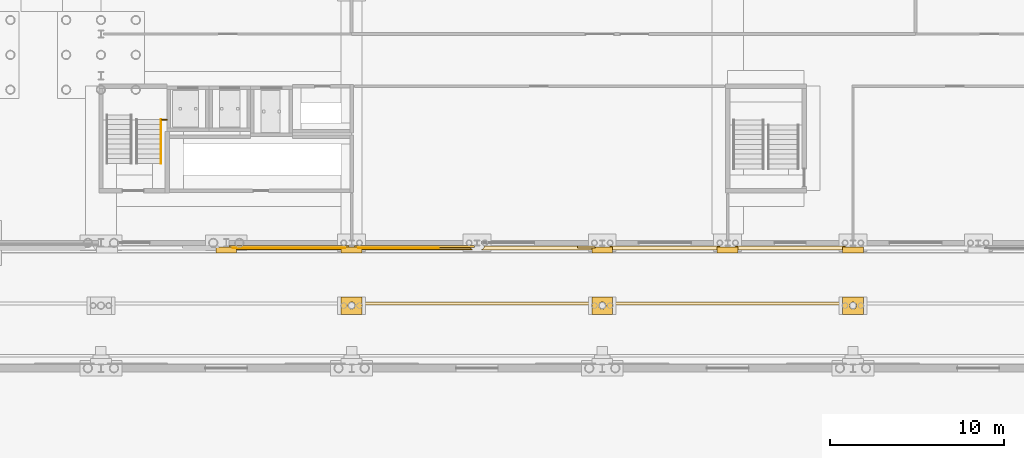
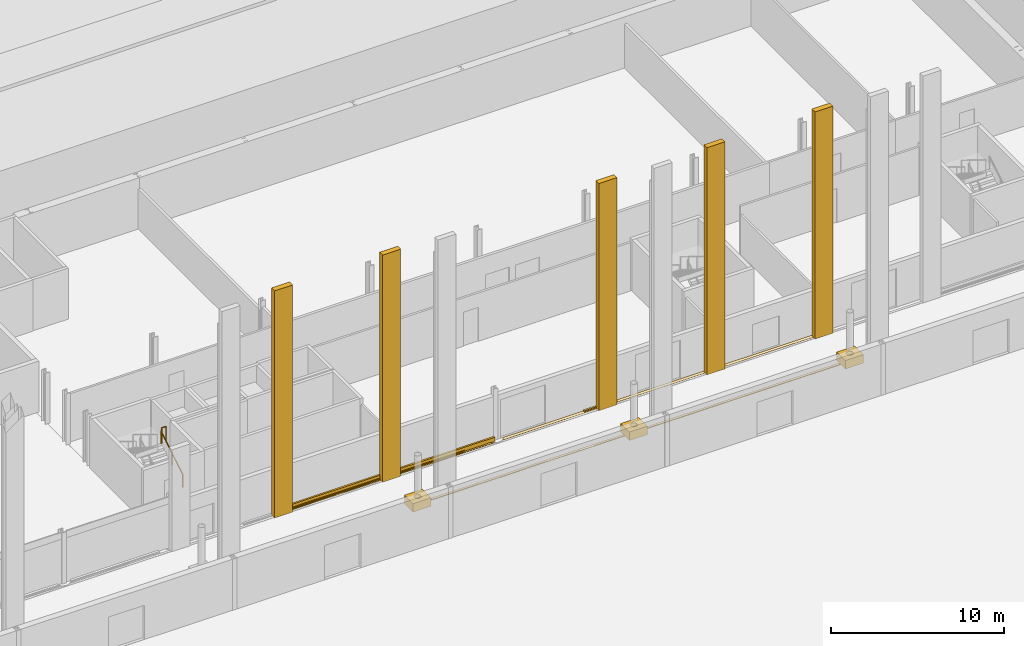
# One storey, part 142 of 148: 20 coverings, 2 railings.
"""IFC4 building model written with IfcOpenShell, lengths in metres."""

from ifc_helpers import new_model, si_unit, direction, frame, origin, origin_2d, place, context, subcontext, project, spatial, polyline, rectangle, circle, outline, extrude, material, layer, layer_set, type_object, element, save


model = new_model("IFC4")

# Units and contexts
model_context = context("Model", 3, precision=1e-05, world=origin(), true_north=direction((0.0, 1.0)))
body_context = subcontext(model_context, "Body", "Model", "MODEL_VIEW")
ifc_project = project(units=[si_unit("LENGTHUNIT", "METRE"), si_unit("AREAUNIT", "SQUARE_METRE"), si_unit("VOLUMEUNIT", "CUBIC_METRE"), si_unit("PLANEANGLEUNIT", "RADIAN"), si_unit("MASSUNIT", "GRAM", prefix="KILO")], contexts=[model_context])

# Site, building, storey
site_placement = place(None, origin())
site = spatial("IfcSite", under=ifc_project, at=site_placement, CompositionType="ELEMENT")
building_placement = place(site_placement, origin())
building = spatial("IfcBuilding", under=site, at=building_placement, Name="Kupolbacken Congress Centre", CompositionType="ELEMENT")
storey_placement = place(building_placement, origin())
storey = spatial("IfcBuildingStorey", under=building, at=storey_placement, Name="L00", CompositionType="ELEMENT", Elevation=0.0)

# Coverings
ifc_material_1 = material(Name="Limestone cladding", Category="masonry")
ifc_layer_1 = layer(ifc_material_1, 0.1201171875)
ifc_layer_set_1 = layer_set([ifc_layer_1], Name="Limestone cladding")
covering_type_1 = type_object("IfcCoveringType", Name="CV1 limestone cladding band 120", PredefinedType="CLADDING", material=ifc_layer_set_1)
for number, where, z_axis, x_axis, name in (
    (1, (154.800048828125, 122.18994140625, 0.0), (0.0, 0.0, 1.0), (1.0, 0.0, 0.0), "E/B/S/L00/009/band"),
    (2, (147.60009765625, 122.18994140625, 0.0), (0.0, 0.0, 1.0), (1.0, 0.0, 0.0), "E/BF/S/L00/021/band"),
):
    element("IfcCovering", number, at=place(storey_placement, frame(where, z_axis=z_axis, x_axis=x_axis)), inside=storey, type_object=covering_type_1, Name=name, PredefinedType="CLADDING", context=body_context, shape_type="SweptSolid", body=[
        extrude(rectangle(XDim=6.89990234375, YDim=0.1201171875, at=origin_2d()), origin(), (0.0, 0.0, 1.0), 0.300048828125),
    ])
ifc_material_2 = material(Name="Limestone cladding", Category="masonry")
ifc_layer_2 = layer(ifc_material_2, 0.35009765625)
ifc_layer_set_2 = layer_set([ifc_layer_2], Name="Limestone cladding")
covering_type_2 = type_object("IfcCoveringType", Name="CV3 limestone pilaster strip 350", PredefinedType="CLADDING", material=ifc_layer_set_2)
for number, where, z_axis, x_axis, name in (
    (3, (144.0, 121.985107421875, 0.0), (0.0, 0.0, 1.0), (1.0, 0.0, 0.0), "F/B/S/pil/01/0"),
    (4, (151.199951171875, 121.985107421875, 0.0), (0.0, 0.0, 1.0), (1.0, 0.0, 0.0), "F/B/S/pil/02/0"),
    (5, (165.60009765625, 121.985107421875, 0.0), (0.0, 0.0, 1.0), (1.0, 0.0, 0.0), "F/B/S/pil/04/0"),
    (6, (172.800048828125, 121.985107421875, 0.0), (0.0, 0.0, 1.0), (1.0, 0.0, 0.0), "F/B/S/pil/05/0"),
    (7, (180.0, 121.985107421875, 0.0), (0.0, 0.0, 1.0), (1.0, 0.0, 0.0), "F/B/S/pil/06/0"),
):
    element("IfcCovering", number, at=place(storey_placement, frame(where, z_axis=z_axis, x_axis=x_axis)), inside=storey, type_object=covering_type_2, Name=name, PredefinedType="CLADDING", context=body_context, shape_type="SweptSolid", body=[
        extrude(rectangle(XDim=1.199951171875, YDim=0.35009765625, at=origin_2d()), origin(), (0.0, 0.0, 1.0), 16.0),
    ])
ifc_material_3 = material(Name="Limestone cladding", Category="masonry")
ifc_layer_3 = layer(ifc_material_3, 0.60009765625)
ifc_layer_set_3 = layer_set([ifc_layer_3], Name="Limestone cladding")
covering_type_3 = type_object("IfcCoveringType", Name="CV5 limestone arcade pier 600", PredefinedType="CLADDING", material=ifc_layer_set_3)
covering_1_placement = place(storey_placement, frame((0.0, 0.0, 0.02001953125)))
element("IfcCovering", 8, at=covering_1_placement, inside=storey, type_object=covering_type_3, Name="Mast pedestal", PredefinedType="CLADDING", context=body_context, shape_type="SweptSolid", body=[
    extrude(outline(polyline([(150.60009765625, 118.300048828125), (150.60009765625, 119.300048828125), (151.800048828125, 119.300048828125), (151.800048828125, 118.300048828125), (150.60009765625, 118.300048828125)]), holes=[polyline([(151.402099609375, 118.82666015625), (151.39697265625, 118.852783203125), (151.388427734375, 118.8779296875), (151.376708984375, 118.902099609375), (151.36181640625, 118.924072265625), (151.34423828125, 118.944091796875), (151.32421875, 118.9619140625), (151.302001953125, 118.9765625), (151.278076171875, 118.98828125), (151.252685546875, 118.9970703125), (151.2265625, 119.002197265625), (151.199951171875, 119.00390625), (151.17333984375, 119.002197265625), (151.147216796875, 118.9970703125), (151.1220703125, 118.98828125), (151.097900390625, 118.9765625), (151.075927734375, 118.9619140625), (151.055908203125, 118.944091796875), (151.0380859375, 118.924072265625), (151.0234375, 118.902099609375), (151.01171875, 118.8779296875), (151.0029296875, 118.852783203125), (150.997802734375, 118.82666015625), (150.99609375, 118.800048828125), (150.997802734375, 118.7734375), (151.0029296875, 118.747314453125), (151.01171875, 118.721923828125), (151.0234375, 118.697998046875), (151.0380859375, 118.67578125), (151.055908203125, 118.65576171875), (151.075927734375, 118.63818359375), (151.097900390625, 118.623291015625), (151.1220703125, 118.611572265625), (151.147216796875, 118.60302734375), (151.17333984375, 118.597900390625), (151.199951171875, 118.59619140625), (151.2265625, 118.597900390625), (151.252685546875, 118.60302734375), (151.278076171875, 118.611572265625), (151.302001953125, 118.623291015625), (151.32421875, 118.63818359375), (151.34423828125, 118.65576171875), (151.36181640625, 118.67578125), (151.376708984375, 118.697998046875), (151.388427734375, 118.721923828125), (151.39697265625, 118.747314453125), (151.402099609375, 118.7734375), (151.40380859375, 118.800048828125), (151.402099609375, 118.82666015625)])]), origin(), (0.0, 0.0, 1.0), 0.60009765625),
])
covering_2_placement = place(storey_placement, frame((0.0, 0.0, 0.02001953125)))
element("IfcCovering", 9, at=covering_2_placement, inside=storey, type_object=covering_type_3, Name="Mast pedestal", PredefinedType="CLADDING", context=body_context, shape_type="SweptSolid", body=[
    extrude(outline(polyline([(165.0, 118.300048828125), (165.0, 119.300048828125), (166.199951171875, 119.300048828125), (166.199951171875, 118.300048828125), (165.0, 118.300048828125)]), holes=[polyline([(165.80224609375, 118.82666015625), (165.797119140625, 118.852783203125), (165.788330078125, 118.8779296875), (165.776611328125, 118.902099609375), (165.76171875, 118.924072265625), (165.744140625, 118.944091796875), (165.72412109375, 118.9619140625), (165.701904296875, 118.9765625), (165.677978515625, 118.98828125), (165.65283203125, 118.9970703125), (165.626708984375, 119.002197265625), (165.60009765625, 119.00390625), (165.573486328125, 119.002197265625), (165.547119140625, 118.9970703125), (165.52197265625, 118.98828125), (165.498046875, 118.9765625), (165.475830078125, 118.9619140625), (165.455810546875, 118.944091796875), (165.438232421875, 118.924072265625), (165.42333984375, 118.902099609375), (165.41162109375, 118.8779296875), (165.403076171875, 118.852783203125), (165.397705078125, 118.82666015625), (165.39599609375, 118.800048828125), (165.397705078125, 118.7734375), (165.403076171875, 118.747314453125), (165.41162109375, 118.721923828125), (165.42333984375, 118.697998046875), (165.438232421875, 118.67578125), (165.455810546875, 118.65576171875), (165.475830078125, 118.63818359375), (165.498046875, 118.623291015625), (165.52197265625, 118.611572265625), (165.547119140625, 118.60302734375), (165.573486328125, 118.597900390625), (165.60009765625, 118.59619140625), (165.626708984375, 118.597900390625), (165.65283203125, 118.60302734375), (165.677978515625, 118.611572265625), (165.701904296875, 118.623291015625), (165.72412109375, 118.63818359375), (165.744140625, 118.65576171875), (165.76171875, 118.67578125), (165.776611328125, 118.697998046875), (165.788330078125, 118.721923828125), (165.797119140625, 118.747314453125), (165.80224609375, 118.7734375), (165.803955078125, 118.800048828125), (165.80224609375, 118.82666015625)])]), origin(), (0.0, 0.0, 1.0), 0.60009765625),
])
covering_3_placement = place(storey_placement, frame((0.0, 0.0, 0.02001953125)))
element("IfcCovering", 10, at=covering_3_placement, inside=storey, type_object=covering_type_3, Name="Mast pedestal", PredefinedType="CLADDING", context=body_context, shape_type="SweptSolid", body=[
    extrude(outline(polyline([(179.39990234375, 118.300048828125), (179.39990234375, 119.300048828125), (180.60009765625, 119.300048828125), (180.60009765625, 118.300048828125), (179.39990234375, 118.300048828125)]), holes=[polyline([(180.2021484375, 118.82666015625), (180.197021484375, 118.852783203125), (180.1884765625, 118.8779296875), (180.176513671875, 118.902099609375), (180.161865234375, 118.924072265625), (180.144287109375, 118.944091796875), (180.1240234375, 118.9619140625), (180.10205078125, 118.9765625), (180.077880859375, 118.98828125), (180.052734375, 118.9970703125), (180.026611328125, 119.002197265625), (180.0, 119.00390625), (179.973388671875, 119.002197265625), (179.947265625, 118.9970703125), (179.922119140625, 118.98828125), (179.89794921875, 118.9765625), (179.8759765625, 118.9619140625), (179.855712890625, 118.944091796875), (179.838134765625, 118.924072265625), (179.823486328125, 118.902099609375), (179.8115234375, 118.8779296875), (179.802978515625, 118.852783203125), (179.7978515625, 118.82666015625), (179.796142578125, 118.800048828125), (179.7978515625, 118.7734375), (179.802978515625, 118.747314453125), (179.8115234375, 118.721923828125), (179.823486328125, 118.697998046875), (179.838134765625, 118.67578125), (179.855712890625, 118.65576171875), (179.8759765625, 118.63818359375), (179.89794921875, 118.623291015625), (179.922119140625, 118.611572265625), (179.947265625, 118.60302734375), (179.973388671875, 118.597900390625), (180.0, 118.59619140625), (180.026611328125, 118.597900390625), (180.052734375, 118.60302734375), (180.077880859375, 118.611572265625), (180.10205078125, 118.623291015625), (180.1240234375, 118.63818359375), (180.144287109375, 118.65576171875), (180.161865234375, 118.67578125), (180.176513671875, 118.697998046875), (180.1884765625, 118.721923828125), (180.197021484375, 118.747314453125), (180.2021484375, 118.7734375), (180.203857421875, 118.800048828125), (180.2021484375, 118.82666015625)])]), origin(), (0.0, 0.0, 1.0), 0.60009765625),
])
ifc_material_4 = material(Name="Limestone cladding", Category="masonry")
ifc_layer_4 = layer(ifc_material_4, 0.02001953125)
ifc_layer_set_4 = layer_set([ifc_layer_4], Name="Limestone cladding")
covering_type_4 = type_object("IfcCoveringType", Name="GF1 limestone paving 20", PredefinedType="FLOORING", material=ifc_layer_set_4)
covering_4_placement = place(storey_placement, origin())
element("IfcCovering", 11, at=covering_4_placement, inside=storey, type_object=covering_type_4, Name="Bay and lane marking", PredefinedType="FLOORING", context=body_context, shape_type="SweptSolid", body=[
    extrude(outline(polyline([(165.161376953125, 118.993896484375), (165.140625, 118.939208984375), (165.129150390625, 118.893798828125), (165.1220703125, 118.84375), (151.677978515625, 118.84375), (151.6708984375, 118.893798828125), (151.659423828125, 118.939208984375), (151.638671875, 118.993896484375), (165.161376953125, 118.993896484375)])), origin(), (0.0, 0.0, 1.0), 0.02001953125),
])
covering_5_placement = place(storey_placement, origin())
element("IfcCovering", 12, at=covering_5_placement, inside=storey, type_object=covering_type_4, Name="Bay and lane marking", PredefinedType="FLOORING", context=body_context, shape_type="SweptSolid", body=[
    extrude(outline(polyline([(179.561279296875, 118.993896484375), (179.54052734375, 118.939208984375), (179.529296875, 118.893798828125), (179.522216796875, 118.84375), (166.077880859375, 118.84375), (166.07080078125, 118.893798828125), (166.059326171875, 118.939208984375), (166.038818359375, 118.993896484375), (179.561279296875, 118.993896484375)])), origin(), (0.0, 0.0, 1.0), 0.02001953125),
])
ifc_material_5 = material(Name="Asphalt", Category="masonry")
ifc_layer_5 = layer(ifc_material_5, 0.02001953125)
ifc_layer_set_5 = layer_set([ifc_layer_5], Name="Asphalt")
covering_type_5 = type_object("IfcCoveringType", Name="GF3 asphalt dock hardstanding 20", PredefinedType="FLOORING", material=ifc_layer_set_5)
covering_6_placement = place(storey_placement, origin())
element("IfcCovering", 13, at=covering_6_placement, inside=storey, type_object=covering_type_5, Name="Service lane asphalt", PredefinedType="FLOORING", context=body_context, shape_type="SweptSolid", body=[
    extrude(outline(polyline([(144.2666015625, 122.0009765625), (144.304443359375, 122.02880859375), (144.33935546875, 122.060546875), (144.3740234375, 122.099609375), (150.825927734375, 122.099609375), (150.860595703125, 122.060546875), (150.8955078125, 122.02880859375), (150.933349609375, 122.0009765625), (150.9736328125, 121.9765625), (150.93896484375, 121.99755859375), (144.260986328125, 121.99755859375), (144.226318359375, 121.9765625), (144.2666015625, 122.0009765625)])), origin(), (0.0, 0.0, 1.0), 0.02001953125),
])
covering_7_placement = place(storey_placement, origin())
element("IfcCovering", 14, at=covering_7_placement, inside=storey, type_object=covering_type_5, Name="Service lane asphalt", PredefinedType="FLOORING", context=body_context, shape_type="SweptSolid", body=[
    extrude(outline(polyline([(151.466796875, 122.0009765625), (151.50439453125, 122.02880859375), (151.539306640625, 122.060546875), (151.57421875, 122.099609375), (156.21484375, 122.099609375), (156.21337890625, 122.1279296875), (158.0048828125, 122.1279296875), (158.02880859375, 122.095458984375), (158.060546875, 122.060546875), (158.095458984375, 122.02880859375), (158.13330078125, 122.0009765625), (158.173583984375, 121.9765625), (158.138916015625, 121.99755859375), (151.461181640625, 121.99755859375), (151.42626953125, 121.9765625), (151.466796875, 122.0009765625)])), origin(), (0.0, 0.0, 1.0), 0.02001953125),
])
covering_8_placement = place(storey_placement, origin())
element("IfcCovering", 15, at=covering_8_placement, inside=storey, type_object=covering_type_5, Name="Service lane asphalt", PredefinedType="FLOORING", context=body_context, shape_type="SweptSolid", body=[
    extrude(outline(polyline([(158.666748046875, 122.0009765625), (158.70458984375, 122.02880859375), (158.739501953125, 122.060546875), (158.77099609375, 122.095458984375), (158.799072265625, 122.13330078125), (158.823486328125, 122.173583984375), (158.8447265625, 122.219970703125), (164.191162109375, 122.219970703125), (164.185302734375, 122.099609375), (165.21484375, 122.099609375), (165.214111328125, 122.115478515625), (165.200927734375, 122.13330078125), (165.22900390625, 122.095458984375), (165.260498046875, 122.060546875), (165.29541015625, 122.02880859375), (165.333251953125, 122.0009765625), (165.373779296875, 121.9765625), (165.3388671875, 121.99755859375), (158.6611328125, 121.99755859375), (158.626220703125, 121.9765625), (158.666748046875, 122.0009765625)])), origin(), (0.0, 0.0, 1.0), 0.02001953125),
])
covering_9_placement = place(storey_placement, origin())
element("IfcCovering", 16, at=covering_9_placement, inside=storey, type_object=covering_type_5, Name="Service lane asphalt", PredefinedType="FLOORING", context=body_context, shape_type="SweptSolid", body=[
    extrude(outline(polyline([(165.86669921875, 122.0009765625), (165.904541015625, 122.02880859375), (165.939453125, 122.060546875), (165.97119140625, 122.095458984375), (165.9990234375, 122.13330078125), (166.0234375, 122.173583984375), (166.044921875, 122.219970703125), (172.355224609375, 122.219970703125), (172.376708984375, 122.173583984375), (172.40087890625, 122.13330078125), (172.428955078125, 122.095458984375), (172.460693359375, 122.060546875), (172.49560546875, 122.02880859375), (172.533203125, 122.0009765625), (172.57373046875, 121.9765625), (172.538818359375, 121.99755859375), (165.861083984375, 121.99755859375), (165.826416015625, 121.9765625), (165.86669921875, 122.0009765625)])), origin(), (0.0, 0.0, 1.0), 0.02001953125),
])
covering_10_placement = place(storey_placement, origin())
element("IfcCovering", 17, at=covering_10_placement, inside=storey, type_object=covering_type_5, Name="Service lane asphalt", PredefinedType="FLOORING", context=body_context, shape_type="SweptSolid", body=[
    extrude(outline(polyline([(173.066650390625, 122.0009765625), (173.1044921875, 122.02880859375), (173.139404296875, 122.060546875), (173.171142578125, 122.095458984375), (173.19921875, 122.13330078125), (173.223388671875, 122.173583984375), (173.244873046875, 122.219970703125), (179.55517578125, 122.219970703125), (179.57666015625, 122.173583984375), (179.600830078125, 122.13330078125), (179.62890625, 122.095458984375), (179.66064453125, 122.060546875), (179.695556640625, 122.02880859375), (179.7333984375, 122.0009765625), (179.773681640625, 121.9765625), (179.739013671875, 121.99755859375), (173.06103515625, 121.99755859375), (173.0263671875, 121.9765625), (173.066650390625, 122.0009765625)])), origin(), (0.0, 0.0, 1.0), 0.02001953125),
])
ifc_material_6 = material(Name="Granite setts", Category="masonry")
ifc_layer_6 = layer(ifc_material_6, 0.10009765625)
ifc_layer_set_6 = layer_set([ifc_layer_6], Name="Granite setts")
covering_type_6 = type_object("IfcCoveringType", Name="GR3 granite sett paving 100", PredefinedType="FLOORING", material=ifc_layer_set_6)
covering_11_placement = place(storey_placement, origin())
element("IfcCovering", 18, at=covering_11_placement, inside=storey, type_object=covering_type_6, Name="Granite kerb edging", PredefinedType="FLOORING", context=body_context, shape_type="SweptSolid", body=[
    extrude(outline(polyline([(144.3740234375, 122.099609375), (144.395263671875, 122.1279296875), (150.8046875, 122.1279296875), (150.825927734375, 122.099609375), (144.3740234375, 122.099609375)])), origin(), (0.0, 0.0, 1.0), 0.10009765625),
])
covering_12_placement = place(storey_placement, origin())
element("IfcCovering", 19, at=covering_12_placement, inside=storey, type_object=covering_type_6, Name="Granite kerb edging", PredefinedType="FLOORING", context=body_context, shape_type="SweptSolid", body=[
    extrude(outline(polyline([(151.57421875, 122.099609375), (151.59521484375, 122.1279296875), (156.21337890625, 122.1279296875), (156.21484375, 122.099609375), (151.57421875, 122.099609375)])), origin(), (0.0, 0.0, 1.0), 0.10009765625),
])
covering_13_placement = place(storey_placement, origin())
element("IfcCovering", 20, at=covering_13_placement, inside=storey, type_object=covering_type_6, Name="Granite kerb edging", PredefinedType="FLOORING", context=body_context, shape_type="SweptSolid", body=[
    extrude(outline(polyline([(164.185302734375, 122.099609375), (164.191162109375, 122.219970703125), (165.1552734375, 122.219970703125), (165.156494140625, 122.21630859375), (165.176513671875, 122.173583984375), (165.200927734375, 122.13330078125), (165.214111328125, 122.115478515625), (165.21484375, 122.099609375), (164.185302734375, 122.099609375)])), origin(), (0.0, 0.0, 1.0), 0.10009765625),
])

# Railings
ifc_material_7 = material(Name="Steel S235", Category="steel")
railing_type_1 = type_object("IfcRailingType", Name="RL1 guard 1100 steel balustrade", PredefinedType="GUARDRAIL", material=ifc_material_7)
railing_1_placement = place(storey_placement, frame((140.300048828125, 129.47509765625, 1.71435546875)))
element("IfcRailing", 21, at=railing_1_placement, inside=storey, type_object=railing_type_1, Name="C/slotguard/BS1/L00/lo", PredefinedType="GUARDRAIL", context=body_context, shape_type="SweptSolid", body=[
    extrude(circle(Radius=0.02392578125, at=origin_2d()), frame((0.0, 0.0, 1.076171875), z_axis=(1.0, 0.0, 0.0), x_axis=(0.0, 1.0, 0.0)), (0.0, 0.0, 1.0), 0.300048828125),
    extrude(circle(Radius=0.02099609375, at=origin_2d()), origin(), (0.0, 0.0, 1.0), 1.052001953125),
    extrude(circle(Radius=0.02099609375, at=origin_2d()), frame((0.300048828125, 0.0, 0.0)), (0.0, 0.0, 1.0), 1.052001953125),
])
ifc_material_8 = material(Name="Steel S235", Category="steel")
railing_type_2 = type_object("IfcRailingType", Name="RL3 handrail wall-mounted 900", PredefinedType="HANDRAIL", material=ifc_material_8)
railing_2_placement = place(storey_placement, frame((140.25, 126.955078125, 0.17138671875)))
element("IfcRailing", 22, at=railing_2_placement, inside=storey, type_object=railing_type_2, Name="C/stair/BS1/L00/HR1R", PredefinedType="HANDRAIL", context=body_context, shape_type="SweptSolid", body=[
    extrude(circle(Radius=0.02392578125, at=origin_2d()), frame((0.0, 0.0, 0.8759765625), z_axis=(0.0, 0.852836285881, 0.522178388565), x_axis=(-1.0, 0.0, 0.0)), (0.0, 0.0, 1.0), 2.954833984375),
    extrude(circle(Radius=0.02099609375, at=origin_2d()), origin(), (0.0, 0.0, 1.0), 0.851806640625),
    extrude(circle(Radius=0.02099609375, at=origin_2d()), frame((0.0, 1.260009765625, 0.771484375)), (0.0, 0.0, 1.0), 0.851806640625),
    extrude(circle(Radius=0.02099609375, at=origin_2d()), frame((0.0, 2.52001953125, 1.54296875)), (0.0, 0.0, 1.0), 0.851806640625),
])

save(model, "model.ifc")
